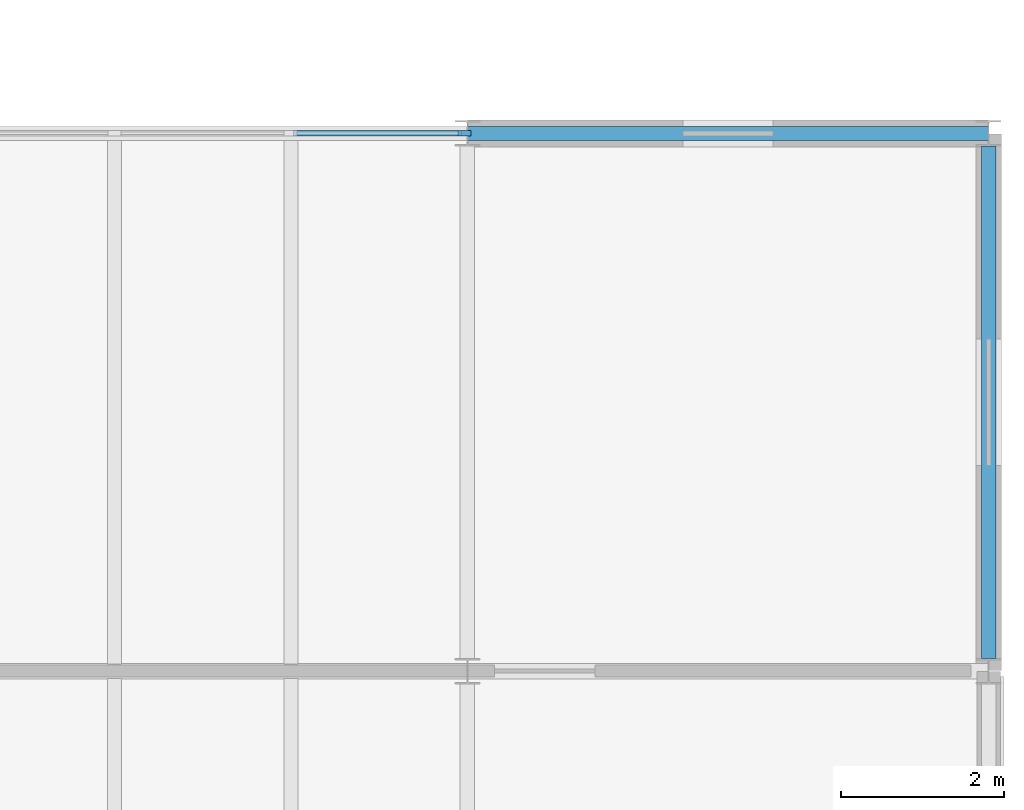
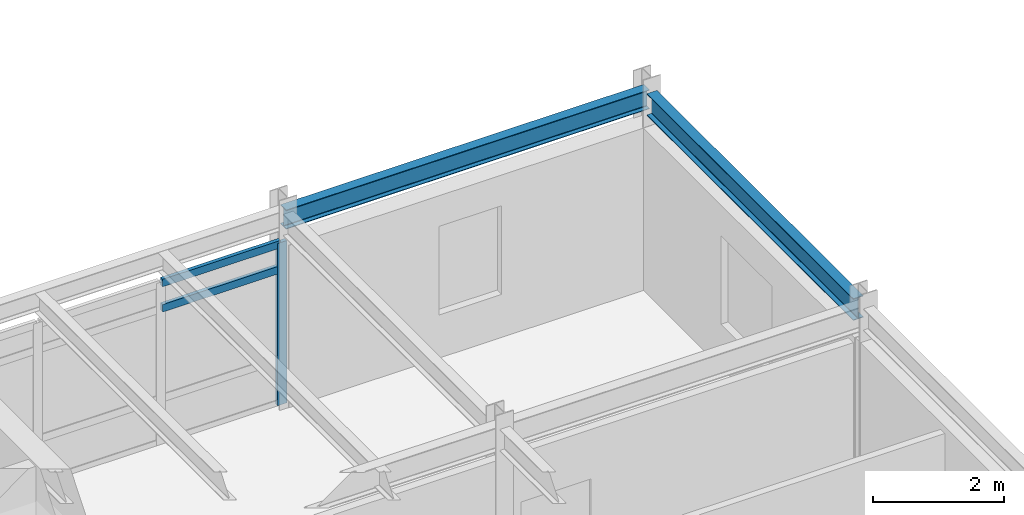
# One storey, part 30 of 57: 3 members, 2 beams, 1 element without a shape of its own.
"""IFC4 building model written with IfcOpenShell, lengths in metres."""

from ifc_helpers import new_model, si_unit, direction, frame, origin, origin_2d, place, context, subcontext, project, spatial, rectangle, i_section, extrude, material, layer, layer_set, material_profile, profile_set, type_object, element, aggregate, save


model = new_model("IFC4")

# Units and contexts
model_context = context("Model", 3, precision=1e-05, world=origin(), true_north=direction((0.0, 1.0)))
body_context = subcontext(model_context, "Body", "Model", "MODEL_VIEW")
ifc_project = project(units=[si_unit("LENGTHUNIT", "METRE"), si_unit("AREAUNIT", "SQUARE_METRE"), si_unit("VOLUMEUNIT", "CUBIC_METRE"), si_unit("PLANEANGLEUNIT", "RADIAN"), si_unit("MASSUNIT", "GRAM", prefix="KILO")], contexts=[model_context])

# Site, building, storey
site_placement = place(None, origin())
site = spatial("IfcSite", under=ifc_project, at=site_placement, CompositionType="ELEMENT")
building_placement = place(site_placement, origin())
building = spatial("IfcBuilding", under=site, at=building_placement, Name="Trelmorton Wharf Fire Station", CompositionType="ELEMENT")
storey_placement = place(building_placement, frame((0.0, 0.0, 13.5)))
storey = spatial("IfcBuildingStorey", under=building, at=storey_placement, Name="L03", CompositionType="ELEMENT", Elevation=13.5)

# Beam
ifc_material_1 = material(Name="Steel Grade 350", Category="steel")
ifc_material_profile_1 = material_profile(ifc_material_1, i_section(OverallWidth=0.177978515625, OverallDepth=0.406005859375, WebThickness=0.0078125, FlangeThickness=0.0126953125, FilletRadius=0.011474609375, at=origin_2d()), Name="410UB59.7")
ifc_profile_set_1 = profile_set([ifc_material_profile_1], Name="Steel Grade 350")
beam_type_1 = type_object("IfcBeamType", Name="BM_410UB60", PredefinedType="BEAM", material=ifc_profile_set_1)
beam_1_placement = place(storey_placement, frame((162.39990234375, 21.153564453125, 3.427001953125), z_axis=(0.0, 1.0, 0.0), x_axis=(-1.0, 0.0, 0.0)))
element("IfcBeam", 1, at=beam_1_placement, inside=storey, type_object=beam_type_1, Name="BM-L03-1033", PredefinedType="BEAM", context=body_context, shape_type="SweptSolid", body=[
    extrude(i_section(OverallWidth=0.177978515625, OverallDepth=0.406005859375, WebThickness=0.0078125, FlangeThickness=0.0126953125, FilletRadius=0.011474609375, at=origin_2d()), origin(), (0.0, 0.0, 1.0), 6.29296875),
])

# Curtain wall, members
ifc_material_2 = material(Name="Anodised aluminium AW-6063", Category="aluminium")
ifc_layer = layer(ifc_material_2, 0.14990234375)
ifc_layer_set = layer_set([ifc_layer], Name="Anodised aluminium AW-6063")
curtain_wall_type = type_object("IfcCurtainWallType", Name="CW_UNIT_A", PredefinedType="USERDEFINED", material=ifc_layer_set)
curtain_wall_placement = place(storey_placement, origin())
curtain_wall = element("IfcCurtainWall", 2, at=curtain_wall_placement, inside=storey, type_object=curtain_wall_type, Name="CW-V5-L03-071", ObjectType="UNITISED CURTAIN WALL", PredefinedType="USERDEFINED")
ifc_material_profile_2 = material_profile(ifc_material_2, rectangle(XDim=0.06494140625, YDim=0.159912109375, at=origin_2d()), Name="ALU-65x160")
ifc_profile_set_2 = profile_set([ifc_material_profile_2], Name="Anodised aluminium AW-6063")
member_type_1 = type_object("IfcMemberType", Name="CWM_65x160", PredefinedType="MULLION", material=ifc_profile_set_2)
member_1_placement = place(storey_placement, frame((155.965087890625, 27.60009765625, 0.0), z_axis=(0.0, 0.0, 1.0), x_axis=(0.0, 1.0, 0.0)))
member_1 = element("IfcMember", 3, at=member_1_placement, type_object=member_type_1, Name="CW3 mullion 4", PredefinedType="MULLION", context=body_context, shape_type="SweptSolid", body=[
    extrude(rectangle(XDim=0.06494140625, YDim=0.159912109375, at=origin_2d()), origin(), (0.0, 0.0, 1.0), 3.02001953125),
])
ifc_material_profile_3 = material_profile(ifc_material_2, rectangle(XDim=0.06494140625, YDim=0.139892578125, at=origin_2d()), Name="ALU-65x140")
ifc_profile_set_3 = profile_set([ifc_material_profile_3], Name="Anodised aluminium AW-6063")
member_type_2 = type_object("IfcMemberType", Name="CWT_65x140", PredefinedType="USERDEFINED", material=ifc_profile_set_3)
member_2_placement = place(storey_placement, frame((153.861572265625, 27.60009765625, 2.52001953125), z_axis=(1.0, 0.0, 0.0), x_axis=(0.0, 1.0, 0.0)))
member_2 = element("IfcMember", 4, at=member_2_placement, type_object=member_type_2, Name="CW3 transom 3.3", ObjectType="TRANSOM", PredefinedType="USERDEFINED", context=body_context, shape_type="SweptSolid", body=[
    extrude(rectangle(XDim=0.06494140625, YDim=0.139892578125, at=origin_2d()), origin(), (0.0, 0.0, 1.0), 2.073486328125),
])
member_3_placement = place(storey_placement, frame((153.861572265625, 27.60009765625, 2.989990234375), z_axis=(1.0, 0.0, 0.0), x_axis=(0.0, 1.0, 0.0)))
member_3 = element("IfcMember", 5, at=member_3_placement, type_object=member_type_2, Name="CW3 transom 3.4", ObjectType="TRANSOM", PredefinedType="USERDEFINED", context=body_context, shape_type="SweptSolid", body=[
    extrude(rectangle(XDim=0.06494140625, YDim=0.139892578125, at=origin_2d()), origin(), (0.0, 0.0, 1.0), 2.073486328125),
])
aggregate(curtain_wall, [member_1, member_2, member_3])

# Beam
ifc_material_profile_4 = material_profile(ifc_material_1, i_section(OverallWidth=0.1708984375, OverallDepth=0.35595703125, WebThickness=0.00732421875, FlangeThickness=0.011474609375, FilletRadius=0.011474609375, at=origin_2d()), Name="360UB50.7")
ifc_profile_set_4 = profile_set([ifc_material_profile_4], Name="Steel Grade 350")
beam_type_2 = type_object("IfcBeamType", Name="SP_360UB51", PredefinedType="SPANDREL", material=ifc_profile_set_4)
beam_2_placement = place(storey_placement, frame((156.00390625, 27.60009765625, 3.451904296875), z_axis=(1.0, 0.0, 0.0), x_axis=(0.0, 1.0, 0.0)))
element("IfcBeam", 6, at=beam_2_placement, inside=storey, type_object=beam_type_2, Name="BM-L03-0916", PredefinedType="SPANDREL", context=body_context, shape_type="SweptSolid", body=[
    extrude(i_section(OverallWidth=0.1708984375, OverallDepth=0.35595703125, WebThickness=0.00732421875, FlangeThickness=0.011474609375, FilletRadius=0.011474609375, at=origin_2d()), origin(), (0.0, 0.0, 1.0), 6.39208984375),
])

save(model, "model.ifc")
